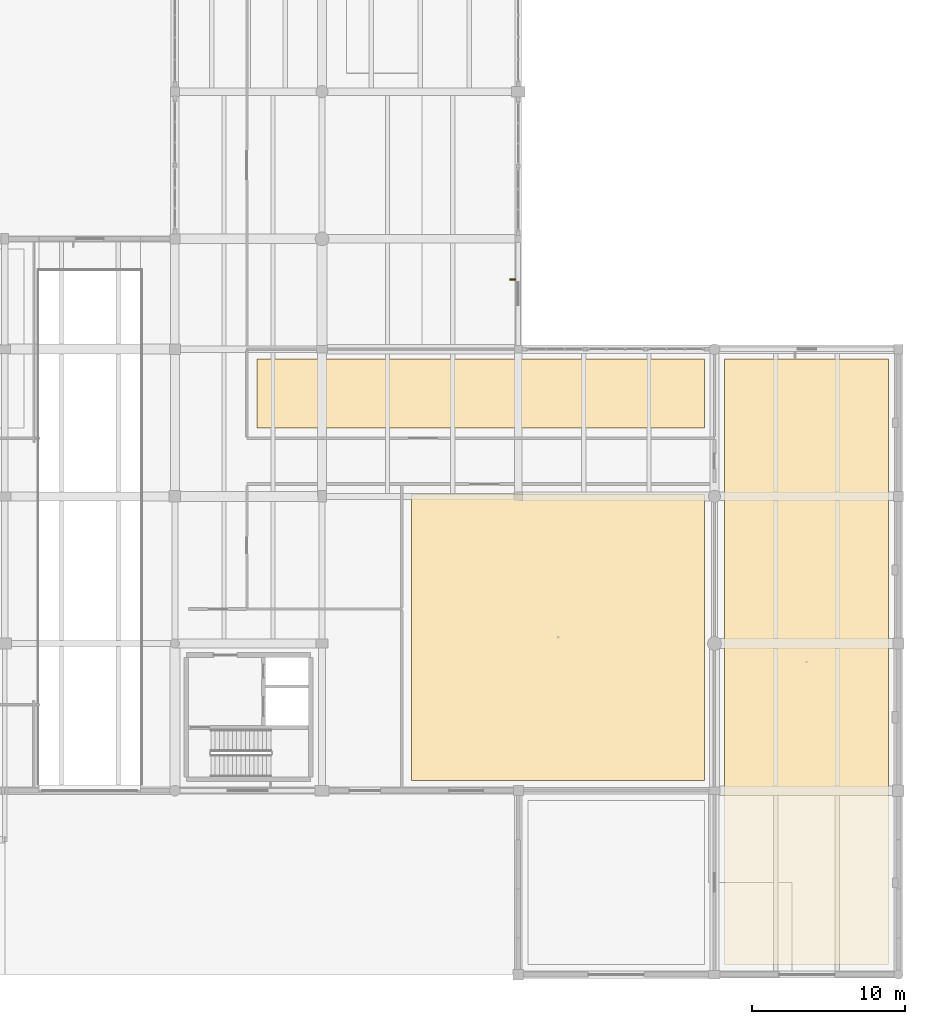
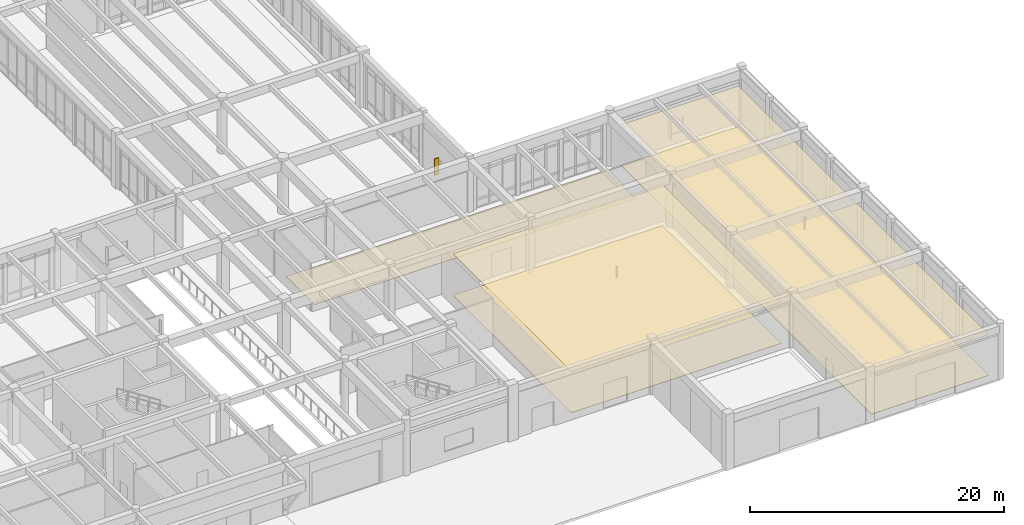
# One storey, part 137 of 138: 5 coverings, 1 shading device.
"""IFC4 building model written with IfcOpenShell, lengths in metres."""

from ifc_helpers import new_model, si_unit, direction, frame, origin, origin_2d, place, context, subcontext, project, spatial, polyline, rectangle, outline, extrude, material, layer, layer_set, type_object, element, save


model = new_model("IFC4")

# Units and contexts
model_context = context("Model", 3, precision=1e-05, world=origin(), true_north=direction((0.0, 1.0)))
body_context = subcontext(model_context, "Body", "Model", "MODEL_VIEW")
ifc_project = project(units=[si_unit("LENGTHUNIT", "METRE"), si_unit("AREAUNIT", "SQUARE_METRE"), si_unit("VOLUMEUNIT", "CUBIC_METRE"), si_unit("PLANEANGLEUNIT", "RADIAN"), si_unit("MASSUNIT", "GRAM", prefix="KILO")], contexts=[model_context])

# Site, building, storey
site_placement = place(None, origin())
site = spatial("IfcSite", under=ifc_project, at=site_placement, CompositionType="ELEMENT")
building_placement = place(site_placement, origin())
building = spatial("IfcBuilding", under=site, at=building_placement, Name="Fikremerkos Civic Library", CompositionType="ELEMENT")
storey_placement = place(building_placement, origin())
storey = spatial("IfcBuildingStorey", under=building, at=storey_placement, Name="L00", CompositionType="ELEMENT", Elevation=0.0)

# Coverings
ifc_material_1 = material(Name="Perforated acoustic cedar timber", Category="wood")
ifc_layer_1 = layer(ifc_material_1, 0.02490234375, Name="Perforated acoustic cedar timber")
ifc_layer_set_1 = layer_set([ifc_layer_1], Name="Perforated acoustic cedar timber")
covering_type_1 = type_object("IfcCoveringType", Name="Acoustic perforated timber ceiling CLG-01", PredefinedType="CEILING", material=ifc_layer_set_1)
covering_1_placement = place(storey_placement, frame((0.0, 0.0, 3.97998046875)))
element("IfcCovering", 1, at=covering_1_placement, inside=storey, type_object=covering_type_1, Name="Acoustic ceiling Civic Auditorium", PredefinedType="CEILING", context=body_context, shape_type="SweptSolid", body=[
    extrude(outline(polyline([(140.25, 31.35009765625), (159.35009765625, 31.35009765625), (159.35009765625, 12.64990234375), (140.25, 12.64990234375), (140.25, 31.35009765625)])), origin(), (0.0, 0.0, 1.0), 0.02490234375),
])
covering_2_placement = place(storey_placement, frame((0.0, 0.0, 3.929931640625)))
element("IfcCovering", 2, at=covering_2_placement, inside=storey, type_object=covering_type_1, Name="Acoustic ceiling Auditorium Stage and Backstage", PredefinedType="CEILING", context=body_context, shape_type="SweptSolid", body=[
    extrude(outline(polyline([(160.64990234375, 40.14990234375), (171.35009765625, 40.14990234375), (171.35009765625, 0.64990234375), (160.64990234375, 0.64990234375), (160.64990234375, 40.14990234375)])), origin(), (0.0, 0.0, 1.0), 0.025146484375),
])

# Shading device
ifc_material_2 = material(Name="Bronze anodized aluminium", Category="aluminium")
shading_device_type = type_object("IfcShadingDeviceType", Name="Perforated bronze vertical solar fin SHD-02", PredefinedType="USERDEFINED", material=ifc_material_2)
shading_device_placement = place(storey_placement, frame((146.840087890625, 45.342529296875, 0.824951171875), z_axis=(0.0, 0.0, 1.0), x_axis=(0.0, 1.0, 0.0)))
element("IfcShadingDevice", 3, at=shading_device_placement, inside=storey, type_object=shading_device_type, Name="Vertical bronze solar fin SHD-02 L00 #10", ObjectType="SOLAR FIN", PredefinedType="USERDEFINED", context=body_context, shape_type="SweptSolid", body=[
    extrude(rectangle(XDim=0.080078125, YDim=0.39990234375, at=origin_2d()), origin(), (0.0, 0.0, 1.0), 1.60009765625),
])

# Coverings
ifc_material_3 = material(Name="Polished basalt terrazzo", Category="masonry")
ifc_layer_2 = layer(ifc_material_3, 0.030029296875, Name="Polished basalt terrazzo")
ifc_layer_set_2 = layer_set([ifc_layer_2], Name="Polished basalt terrazzo")
covering_type_2 = type_object("IfcCoveringType", Name="Polished basalt terrazzo flooring FLR-01", PredefinedType="FLOORING", material=ifc_layer_set_2)
covering_3_placement = place(storey_placement, origin())
element("IfcCovering", 4, at=covering_3_placement, inside=storey, type_object=covering_type_2, Name="Terrazzo floor finish Civic Auditorium", PredefinedType="FLOORING", context=body_context, shape_type="SweptSolid", body=[
    extrude(outline(polyline([(140.25, 31.35009765625), (159.35009765625, 31.35009765625), (159.35009765625, 12.64990234375), (140.25, 12.64990234375), (140.25, 31.35009765625)])), origin(), (0.0, 0.0, 1.0), 0.030029296875),
])
covering_4_placement = place(storey_placement, origin())
element("IfcCovering", 5, at=covering_4_placement, inside=storey, type_object=covering_type_2, Name="Terrazzo floor finish Auditorium Stage and Backstage", PredefinedType="FLOORING", context=body_context, shape_type="SweptSolid", body=[
    extrude(outline(polyline([(160.64990234375, 40.14990234375), (171.35009765625, 40.14990234375), (171.35009765625, 0.64990234375), (160.64990234375, 0.64990234375), (160.64990234375, 40.14990234375)])), origin(), (0.0, 0.0, 1.0), 0.030029296875),
])
covering_5_placement = place(storey_placement, origin())
element("IfcCovering", 6, at=covering_5_placement, inside=storey, type_object=covering_type_2, Name="Terrazzo floor finish Auditorium Foyer", PredefinedType="FLOORING", context=body_context, shape_type="SweptSolid", body=[
    extrude(outline(polyline([(130.14990234375, 40.14990234375), (159.35009765625, 40.14990234375), (159.35009765625, 35.64990234375), (130.14990234375, 35.64990234375), (130.14990234375, 40.14990234375)])), origin(), (0.0, 0.0, 1.0), 0.030029296875),
])

save(model, "model.ifc")
